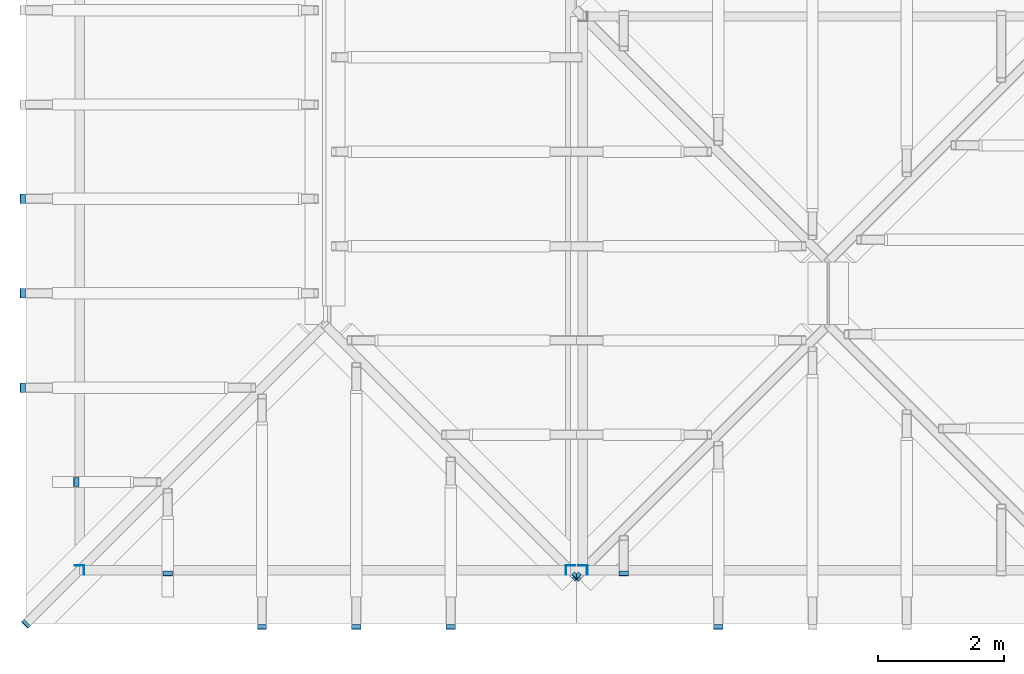
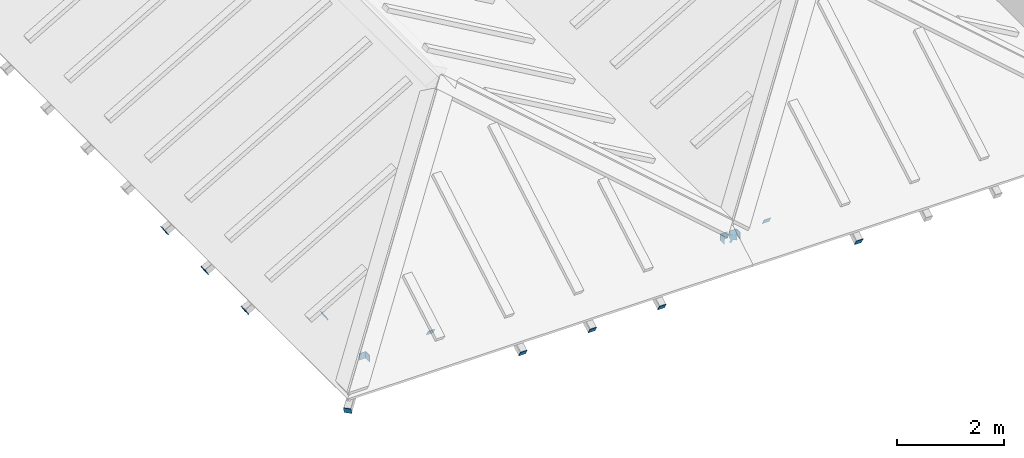
# One storey, part 76 of 111: 19 discrete accessories.
"""IFC4 building model written with IfcOpenShell, lengths in metres."""

from ifc_helpers import new_model, si_unit, direction, frame, origin, origin_2d, place, context, subcontext, project, spatial, rectangle, extrude, material, material_profile, profile_set, type_object, element, save


model = new_model("IFC4")

# Units and contexts
model_context = context("Model", 3, precision=1e-05, world=origin(), true_north=direction((0.0, 1.0)))
body_context = subcontext(model_context, "Body", "Model", "MODEL_VIEW")
ifc_project = project(units=[si_unit("LENGTHUNIT", "METRE"), si_unit("AREAUNIT", "SQUARE_METRE"), si_unit("VOLUMEUNIT", "CUBIC_METRE"), si_unit("PLANEANGLEUNIT", "RADIAN"), si_unit("MASSUNIT", "GRAM", prefix="KILO")], contexts=[model_context])

# Site, building, storey
site_placement = place(None, origin())
site = spatial("IfcSite", under=ifc_project, at=site_placement, CompositionType="ELEMENT")
building_placement = place(site_placement, origin())
building = spatial("IfcBuilding", under=site, at=building_placement, Name="Kallimachos Central Library", CompositionType="ELEMENT")
storey_placement = place(building_placement, frame((0.0, 0.0, 14.39990234375)))
storey = spatial("IfcBuildingStorey", under=building, at=storey_placement, Name="L03", CompositionType="ELEMENT", Elevation=14.39990234375)

# Discrete accessories
ifc_material = material(Name="Steel S355J2", Category="steel")
ifc_material_profile = material_profile(ifc_material, rectangle(XDim=0.14990234375, YDim=0.14990234375, at=origin_2d()), Name="End cap plate 10, 150x150")
ifc_profile_set = profile_set([ifc_material_profile], Name="Steel S355J2")
discrete_accessory_type = type_object("IfcDiscreteAccessoryType", Name="End cap plate 10, 150x150", PredefinedType="BRACKET", material=ifc_profile_set)
for number, where, z_axis, x_axis, name in (
    (1, (6.1650390625, 9.10009765625, 0.22509765625), (1.0, 0.0, 0.0), (0.0, 1.0, 0.0), "End cap plate"),
    (2, (13.824951171875, 9.10009765625, 0.22509765625), (1.0, 0.0, 0.0), (0.0, 1.0, 0.0), "End cap plate"),
    (3, (6.10009765625, 9.1650390625, 0.22509765625), (0.0, 1.0, 0.0), (-1.0, 0.0, 0.0), "End cap plate"),
    (4, (13.89990234375, 9.1650390625, 0.22509765625), (0.0, 1.0, 0.0), (-1.0, 0.0, 0.0), "End cap plate"),
):
    element("IfcDiscreteAccessory", number, at=place(storey_placement, frame(where, z_axis=z_axis, x_axis=x_axis)), inside=storey, type_object=discrete_accessory_type, Name=name, PredefinedType="BRACKET", context=body_context, shape_type="SweptSolid", body=[
        extrude(rectangle(XDim=0.14990234375, YDim=0.14990234375, at=origin_2d()), origin(), (0.0, 0.0, 1.0), 0.010009765625),
    ])
discrete_accessory_1_placement = place(storey_placement, frame((7.5, 9.041259765625, 0.352783203125), z_axis=(0.0, 0.863778900898, 0.503871025524), x_axis=(-1.0, 0.0, 0.0)))
element("IfcDiscreteAccessory", 5, at=discrete_accessory_1_placement, inside=storey, type_object=discrete_accessory_type, Name="End cap plate", PredefinedType="BRACKET", context=body_context, shape_type="SweptSolid", body=[
    extrude(rectangle(XDim=0.14990234375, YDim=0.14990234375, at=origin_2d()), origin(), (0.0, 0.0, 1.0), 0.01025390625),
])
for number, where, z_axis, x_axis, name in (
    (6, (9.0, 8.19140625, -0.137939453125), (0.0, 0.857492925713, 0.514495755428), (-1.0, 0.0, 0.0), "End cap plate"),
    (7, (10.5, 8.19140625, -0.137939453125), (0.0, 0.857492925713, 0.514495755428), (-1.0, 0.0, 0.0), "End cap plate"),
    (8, (12.0, 8.19140625, -0.137939453125), (0.0, 0.857492925713, 0.514495755428), (-1.0, 0.0, 0.0), "End cap plate"),
):
    element("IfcDiscreteAccessory", number, at=place(storey_placement, frame(where, z_axis=z_axis, x_axis=x_axis)), inside=storey, type_object=discrete_accessory_type, Name=name, PredefinedType="BRACKET", context=body_context, shape_type="SweptSolid", body=[
        extrude(rectangle(XDim=0.14990234375, YDim=0.14990234375, at=origin_2d()), origin(), (0.0, 0.0, 1.0), 0.010009765625),
    ])
discrete_accessory_2_placement = place(storey_placement, frame((6.041259765625, 10.5, 0.352783203125), z_axis=(0.863778900898, 0.0, 0.503871025524), x_axis=(0.0, 1.0, 0.0)))
element("IfcDiscreteAccessory", 9, at=discrete_accessory_2_placement, inside=storey, type_object=discrete_accessory_type, Name="End cap plate", PredefinedType="BRACKET", context=body_context, shape_type="SweptSolid", body=[
    extrude(rectangle(XDim=0.14990234375, YDim=0.14990234375, at=origin_2d()), origin(), (0.0, 0.0, 1.0), 0.01025390625),
])
for number, where, z_axis, x_axis, name in (
    (10, (5.19140625, 12.0, -0.137939453125), (0.857492925713, 0.0, 0.514495755428), (0.0, 1.0, 0.0), "End cap plate"),
    (11, (5.19140625, 13.5, -0.137939453125), (0.857492925713, 0.0, 0.514495755428), (0.0, 1.0, 0.0), "End cap plate"),
    (12, (5.19140625, 15.0, -0.137939453125), (0.857492925713, 0.0, 0.514495755428), (0.0, 1.0, 0.0), "End cap plate"),
    (13, (5.243408203125, 8.243408203125, -0.167236328125), (0.658145181714, 0.658145181714, 0.365636212064), (-0.707106781187, 0.707106781187, 0.0), "End cap plate"),
    (14, (14.006591796875, 8.993408203125, 0.265625), (-0.652166303035, 0.652166303035, 0.386468920317), (-0.707106781187, -0.707106781187, 0.0), "End cap plate"),
    (15, (14.1650390625, 9.10009765625, 0.22509765625), (1.0, 0.0, 0.0), (0.0, 1.0, 0.0), "End cap plate"),
    (16, (14.10009765625, 9.1650390625, 0.22509765625), (0.0, 1.0, 0.0), (-1.0, 0.0, 0.0), "End cap plate"),
):
    element("IfcDiscreteAccessory", number, at=place(storey_placement, frame(where, z_axis=z_axis, x_axis=x_axis)), inside=storey, type_object=discrete_accessory_type, Name=name, PredefinedType="BRACKET", context=body_context, shape_type="SweptSolid", body=[
        extrude(rectangle(XDim=0.14990234375, YDim=0.14990234375, at=origin_2d()), origin(), (0.0, 0.0, 1.0), 0.010009765625),
    ])
discrete_accessory_3_placement = place(storey_placement, frame((14.75, 9.041259765625, 0.352783203125), z_axis=(0.0, 0.863778900898, 0.503871025524), x_axis=(-1.0, 0.0, 0.0)))
element("IfcDiscreteAccessory", 17, at=discrete_accessory_3_placement, inside=storey, type_object=discrete_accessory_type, Name="End cap plate", PredefinedType="BRACKET", context=body_context, shape_type="SweptSolid", body=[
    extrude(rectangle(XDim=0.14990234375, YDim=0.14990234375, at=origin_2d()), origin(), (0.0, 0.0, 1.0), 0.01025390625),
])
for number, where, z_axis, x_axis, name in (
    (18, (16.25, 8.19140625, -0.137939453125), (0.0, 0.857492925713, 0.514495755428), (-1.0, 0.0, 0.0), "End cap plate"),
    (19, (13.993408203125, 8.993408203125, 0.265625), (0.652166303035, 0.652166303035, 0.386468920317), (-0.707106781187, 0.707106781187, 0.0), "End cap plate"),
):
    element("IfcDiscreteAccessory", number, at=place(storey_placement, frame(where, z_axis=z_axis, x_axis=x_axis)), inside=storey, type_object=discrete_accessory_type, Name=name, PredefinedType="BRACKET", context=body_context, shape_type="SweptSolid", body=[
        extrude(rectangle(XDim=0.14990234375, YDim=0.14990234375, at=origin_2d()), origin(), (0.0, 0.0, 1.0), 0.010009765625),
    ])

save(model, "model.ifc")
